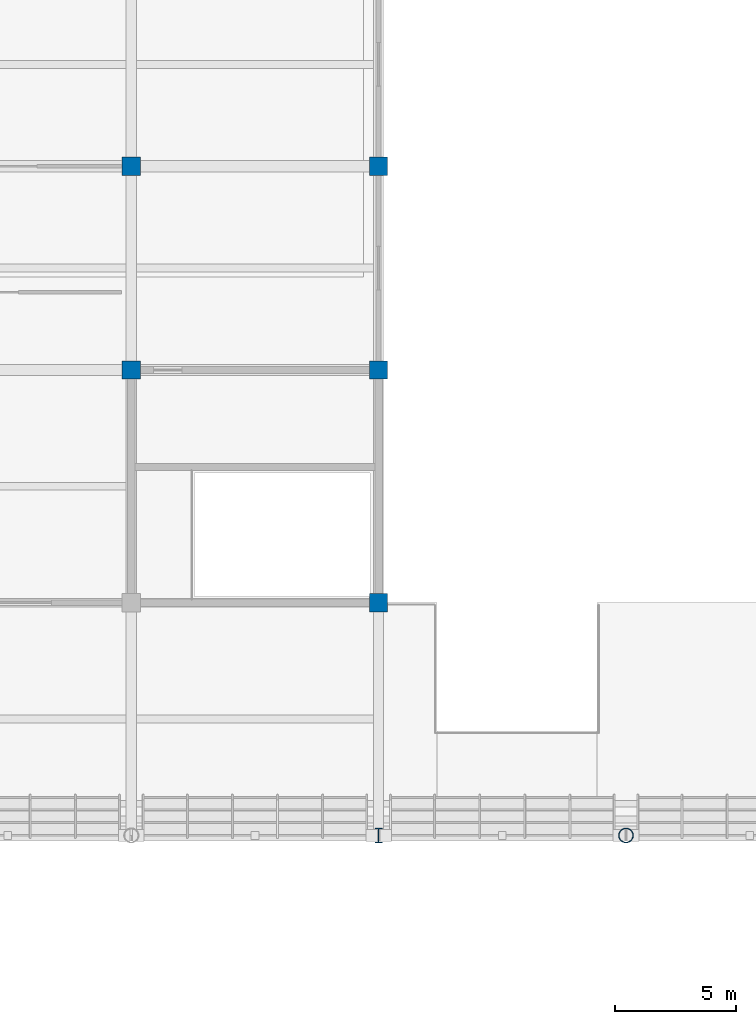
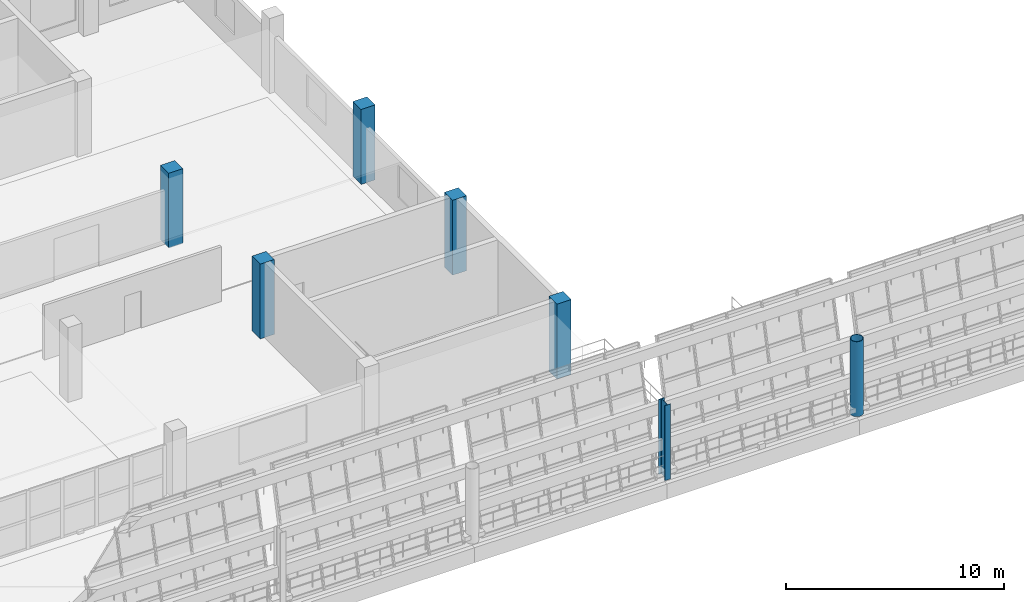
# One storey, part 8 of 157: 7 columns.
"""IFC4 building model written with IfcOpenShell, lengths in metres."""

from ifc_helpers import new_model, si_unit, direction, frame, origin, origin_2d, place, context, subcontext, project, spatial, rectangle, hollow_circle, i_section, extrude, material, material_profile, profile_set, type_object, element, save


model = new_model("IFC4")

# Units and contexts
model_context = context("Model", 3, precision=1e-05, world=origin(), true_north=direction((0.0, 1.0)))
body_context = subcontext(model_context, "Body", "Model", "MODEL_VIEW")
ifc_project = project(units=[si_unit("LENGTHUNIT", "METRE"), si_unit("AREAUNIT", "SQUARE_METRE"), si_unit("VOLUMEUNIT", "CUBIC_METRE"), si_unit("PLANEANGLEUNIT", "RADIAN"), si_unit("MASSUNIT", "GRAM", prefix="KILO")], contexts=[model_context])

# Site, building, storey
site_placement = place(None, origin())
site = spatial("IfcSite", under=ifc_project, at=site_placement, CompositionType="ELEMENT")
building_placement = place(site_placement, origin())
building = spatial("IfcBuilding", under=site, at=building_placement, Name="Brelvane Convention Centre", CompositionType="ELEMENT")
storey_placement = place(building_placement, frame((0.0, 0.0, 10.800048828125)))
storey = spatial("IfcBuildingStorey", under=building, at=storey_placement, Name="L02", CompositionType="ELEMENT", Elevation=10.800048828125)

# Columns
ifc_material_1 = material(Name="Concrete M50", Category="concrete")
ifc_material_profile_1 = material_profile(ifc_material_1, rectangle(XDim=0.75, YDim=0.75, at=origin_2d()), Name="RC 750x750")
ifc_profile_set_1 = profile_set([ifc_material_profile_1], Name="Concrete M50")
column_type_1 = type_object("IfcColumnType", Name="RC Column C-RC3 (RC 750x750)", PredefinedType="COLUMN", material=ifc_profile_set_1)
for number, where, z_axis, x_axis, name in (
    (1, (102.0, 118.800048828125, 0.0), (0.0, 0.0, 1.0), (1.0, 0.0, 0.0), "Column 11-M (L02)"),
    (2, (102.0, 127.199951171875, 0.0), (0.0, 0.0, 1.0), (1.0, 0.0, 0.0), "Column 11-N (L02)"),
    (3, (112.199951171875, 109.199951171875, 0.0), (0.0, 0.0, 1.0), (1.0, 0.0, 0.0), "Column 12-L (L02)"),
    (4, (112.199951171875, 118.800048828125, 0.0), (0.0, 0.0, 1.0), (1.0, 0.0, 0.0), "Column 12-M (L02)"),
    (5, (112.199951171875, 127.199951171875, 0.0), (0.0, 0.0, 1.0), (1.0, 0.0, 0.0), "Column 12-N (L02)"),
):
    element("IfcColumn", number, at=place(storey_placement, frame(where, z_axis=z_axis, x_axis=x_axis)), inside=storey, type_object=column_type_1, Name=name, PredefinedType="COLUMN", context=body_context, shape_type="SweptSolid", body=[
        extrude(rectangle(XDim=0.75, YDim=0.75, at=origin_2d()), origin(), (0.0, 0.0, 1.0), 4.199951171875),
    ])
ifc_material_2 = material(Name="Steel E450 (450 MPa)", Category="steel")
ifc_material_profile_2 = material_profile(ifc_material_2, hollow_circle(Radius=0.304931640625, WallThickness=0.02490234375, at=origin_2d()), Name="CHS 610.0x25.0")
ifc_profile_set_2 = profile_set([ifc_material_profile_2], Name="Steel E450 (450 MPa)")
column_type_2 = type_object("IfcColumnType", Name="Steel Column C-ST1 (CHS 610.0x25.0)", PredefinedType="COLUMN", material=ifc_profile_set_2)
column_1_placement = place(storey_placement, frame((122.39990234375, 99.60009765625, 0.0), z_axis=(0.0, 0.0, 1.0), x_axis=(1.0, 0.0, 0.0)))
element("IfcColumn", 6, at=column_1_placement, inside=storey, type_object=column_type_2, Name="Column 13-K (L02)", PredefinedType="COLUMN", context=body_context, shape_type="SweptSolid", body=[
    extrude(hollow_circle(Radius=0.304931640625, WallThickness=0.02490234375, at=origin_2d()), origin(), (0.0, 0.0, 1.0), 4.199951171875),
])
ifc_material_3 = material(Name="Steel E450 (450 MPa)", Category="steel")
ifc_material_profile_3 = material_profile(ifc_material_3, i_section(OverallWidth=0.300048828125, OverallDepth=0.60009765625, WebThickness=0.015380859375, FlangeThickness=0.030029296875, FilletRadius=0.027099609375, at=origin_2d()), Name="WPB 600x300")
ifc_profile_set_3 = profile_set([ifc_material_profile_3], Name="Steel E450 (450 MPa)")
column_type_3 = type_object("IfcColumnType", Name="Steel Column C-ST5 (WPB 600x300)", PredefinedType="COLUMN", material=ifc_profile_set_3)
column_2_placement = place(storey_placement, frame((112.199951171875, 99.60009765625, 0.0), z_axis=(0.0, 0.0, 1.0), x_axis=(1.0, 0.0, 0.0)))
element("IfcColumn", 7, at=column_2_placement, inside=storey, type_object=column_type_3, Name="Column 12-K (L02)", PredefinedType="COLUMN", context=body_context, shape_type="SweptSolid", body=[
    extrude(i_section(OverallWidth=0.300048828125, OverallDepth=0.60009765625, WebThickness=0.015380859375, FlangeThickness=0.030029296875, FilletRadius=0.027099609375, at=origin_2d()), origin(), (0.0, 0.0, 1.0), 4.199951171875),
])

save(model, "model.ifc")
